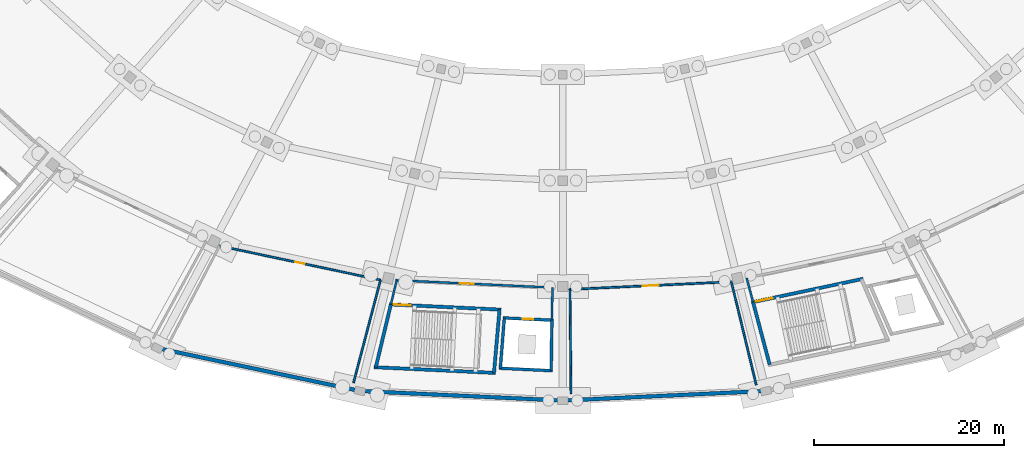
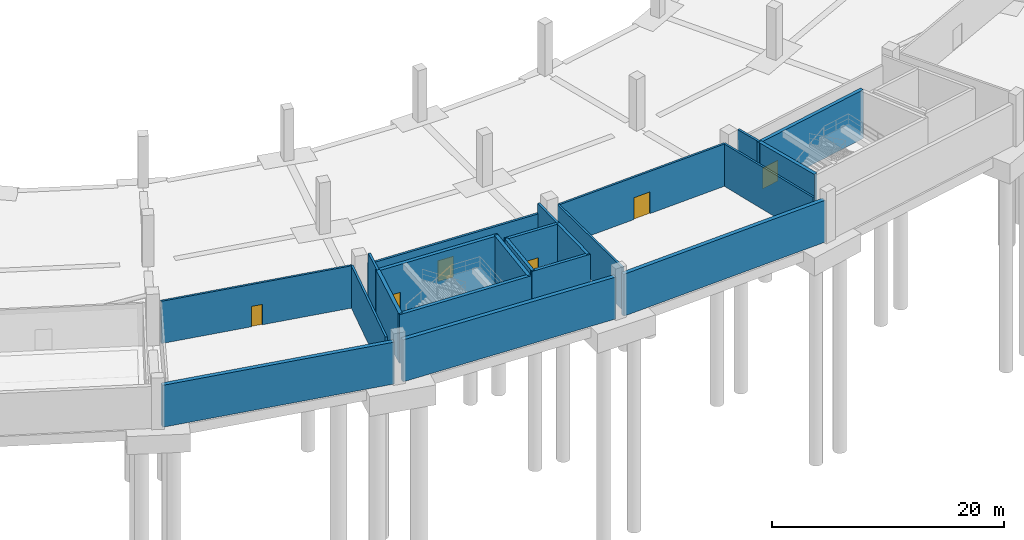
# One storey, part 11 of 49: 22 walls, 6 doors, 6 openings.
"""IFC4 building model written with IfcOpenShell, lengths in metres."""

from ifc_helpers import new_model, si_unit, direction, frame, frame_2d, origin, place, context, subcontext, project, spatial, rectangle, extrude, material, layer, layer_set, type_object, element, fill, save


model = new_model("IFC4")

# Units and contexts
model_context = context("Model", 3, precision=1e-05, world=origin(), true_north=direction((0.0, 1.0)))
body_context = subcontext(model_context, "Body", "Model", "MODEL_VIEW")
ifc_project = project(units=[si_unit("LENGTHUNIT", "METRE"), si_unit("AREAUNIT", "SQUARE_METRE"), si_unit("VOLUMEUNIT", "CUBIC_METRE"), si_unit("PLANEANGLEUNIT", "RADIAN"), si_unit("MASSUNIT", "GRAM", prefix="KILO")], contexts=[model_context])

# Site, building, storey
site_placement = place(None, origin())
site = spatial("IfcSite", under=ifc_project, at=site_placement, CompositionType="ELEMENT")
building_placement = place(site_placement, origin())
building = spatial("IfcBuilding", under=site, at=building_placement, Name="Kazemori Nagisa Stadium", CompositionType="ELEMENT")
storey_placement = place(building_placement, frame((0.0, 0.0, -5.43994140625)))
storey = spatial("IfcBuildingStorey", under=building, at=storey_placement, Name="B1", CompositionType="ELEMENT", Elevation=-5.43994140625)

# Walls
ifc_material_1 = material(Name="Concrete C40/50 (Fc42)", Category="concrete")
ifc_layer_1 = layer(ifc_material_1, 0.39990234375, Name="Concrete C40/50 (Fc42)", Category="concrete")
ifc_layer_set_1 = layer_set([ifc_layer_1], Name="Concrete C40/50 (Fc42)")
wall_type_1 = type_object("IfcWallType", Name="Wall_W-B1-RET-400", PredefinedType="SOLIDWALL", material=ifc_layer_set_1)
wall_1_placement = place(storey_placement, frame((80.576904296875, 21.455078125, 0.0), z_axis=(0.0, 0.0, 1.0), x_axis=(0.978345100851, -0.206980346028, 0.0)))
element("IfcWall", 1, at=wall_1_placement, inside=storey, type_object=wall_type_1, Name="Basement perimeter retaining wall B1-20", PredefinedType="SOLIDWALL", context=body_context, shape_type="SweptSolid", body=[
    extrude(rectangle(XDim=21.070068359375, YDim=0.39990234375, at=frame_2d((10.53515625, 0.0))), origin(), (0.0, 0.0, 1.0), 4.419921875),
])
for number, where, z_axis, x_axis, name in (
    (2, (101.9619140625, 16.99462890625, 0.0), (0.0, 0.0, 1.0), (0.998884033728, -0.047230150999, 0.0), "Basement perimeter retaining wall B1-21"),
    (3, (123.3896484375, 16.018310546875, 0.0), (0.0, 0.0, 1.0), (0.998884033728, 0.047230150999, 0.0), "Basement perimeter retaining wall B1-22"),
):
    element("IfcWall", number, at=place(storey_placement, frame(where, z_axis=z_axis, x_axis=x_axis)), inside=storey, type_object=wall_type_1, Name=name, PredefinedType="SOLIDWALL", context=body_context, shape_type="SweptSolid", body=[
        extrude(rectangle(XDim=20.67138671875, YDim=0.39990234375, at=frame_2d((10.335693359375, 0.0))), origin(), (0.0, 0.0, 1.0), 4.419921875),
    ])

# Wall, opening, door
ifc_layer_2 = layer(ifc_material_1, 0.35009765625, Name="Concrete C40/50 (Fc42)", Category="concrete")
ifc_layer_set_2 = layer_set([ifc_layer_2], Name="Concrete C40/50 (Fc42)")
wall_type_2 = type_object("IfcWallType", Name="Wall_W-CORE-350", PredefinedType="SHEAR", material=ifc_layer_set_2)
wall_2_placement = place(storey_placement, frame((104.66748046875, 26.15478515625, 0.0), z_axis=(0.0, 0.0, 1.0), x_axis=(0.998883770468, -0.04723571843, 0.0)))
wall_2 = element("IfcWall", 4, at=wall_2_placement, inside=storey, type_object=wall_type_2, Name="Core stair front shear wall ST12 B1", PredefinedType="SHEAR", context=body_context, shape_type="SweptSolid", body=[
    extrude(rectangle(XDim=11.830810546875, YDim=0.35009765625, at=frame_2d((5.91552734375, 0.0))), origin(), (0.0, 0.0, 1.0), 5.139892578125),
])
opening_1_placement = place(wall_2_placement, frame((0.47509765625, 0.0, 0.0)))
opening_1 = element("IfcOpeningElement", 5, at=opening_1_placement, cuts=wall_2, Name="Opening D-ST-1800", PredefinedType="OPENING", context=body_context, shape_type="SweptSolid", body=[
    extrude(rectangle(XDim=1.800048828125, YDim=2.199951171875, at=frame_2d((0.89990234375, 1.10009765625))), frame((0.0, 0.18505859375, 0.0), z_axis=(0.0, -1.0, 0.0), x_axis=(1.0, 0.0, 0.0)), (0.0, 0.0, 1.0), 0.3701171875),
])
ifc_material_2 = material(Name="Galvanised steel sheet", Category="steel")
door_type_1 = type_object("IfcDoorType", Name="Door_D-ST-1800", OperationType="NOTDEFINED", PredefinedType="DOOR", material=ifc_material_2)
door_1_placement = place(opening_1_placement, frame((1.800048828125, 0.0, 0.0), z_axis=(0.0, 0.0, 1.0), x_axis=(-1.0, 0.0, 0.0)))
door_1 = element("IfcDoor", 6, at=door_1_placement, inside=storey, type_object=door_type_1, Name="Exit stair fire door ST12-B1", OperationType="SINGLE_SWING_RIGHT", OverallHeight=2.199951171875, OverallWidth=1.800048828125, PredefinedType="DOOR", context=body_context, shape_type="SweptSolid", body=[
    extrude(rectangle(XDim=1.800048828125, YDim=2.199951171875, at=frame_2d((0.89990234375, 1.10009765625))), frame((0.0, 0.02490234375, 0.0), z_axis=(0.0, -1.0, 0.0), x_axis=(1.0, 0.0, 0.0)), (0.0, 0.0, 1.0), 0.050048828125),
])
fill(opening_1, door_1)

# Walls
wall_3_placement = place(storey_placement, frame((103.07958984375, 19.52197265625, 0.0), z_axis=(0.0, 0.0, 1.0), x_axis=(0.998884004857, -0.047230761603, 0.0)))
element("IfcWall", 7, at=wall_3_placement, inside=storey, type_object=wall_type_2, Name="Core stair rear shear wall ST12 B1", PredefinedType="SHEAR", context=body_context, shape_type="SweptSolid", body=[
    extrude(rectangle(XDim=12.8349609375, YDim=0.35009765625, at=frame_2d((6.41748046875, 0.0))), origin(), (0.0, 0.0, 1.0), 5.139892578125),
])
wall_4_placement = place(storey_placement, frame((104.84228515625, 26.146484375, 0.0), z_axis=(0.0, 0.0, 1.0), x_axis=(-0.232820532896, -0.972519716747, 0.0)))
element("IfcWall", 8, at=wall_4_placement, inside=storey, type_object=wall_type_2, Name="Core stair left shear wall ST12 B1", PredefinedType="SHEAR", context=body_context, shape_type="SweptSolid", body=[
    extrude(rectangle(XDim=6.8203125, YDim=0.35009765625, at=frame_2d((3.41015625, 0.0))), origin(), (0.0, 0.0, 1.0), 5.139892578125),
])
wall_5_placement = place(storey_placement, frame((116.310302734375, 25.604248046875, 0.0), z_axis=(0.0, 0.0, 1.0), x_axis=(-0.087232889326, -0.996187945631, 0.0)))
element("IfcWall", 9, at=wall_5_placement, inside=storey, type_object=wall_type_2, Name="Core stair right shear wall ST12 B1", PredefinedType="SHEAR", context=body_context, shape_type="SweptSolid", body=[
    extrude(rectangle(XDim=6.705810546875, YDim=0.35009765625, at=frame_2d((3.35302734375, 0.0))), origin(), (0.0, 0.0, 1.0), 5.139892578125),
])

# Wall, opening, door
wall_6_placement = place(storey_placement, frame((142.895751953125, 26.357177734375, 0.0), z_axis=(0.0, 0.0, 1.0), x_axis=(0.978345203961, 0.206979858648, 0.0)))
wall_6 = element("IfcWall", 10, at=wall_6_placement, inside=storey, type_object=wall_type_2, Name="Core stair front shear wall ST06 B1", PredefinedType="SHEAR", context=body_context, shape_type="SweptSolid", body=[
    extrude(rectangle(XDim=12.044189453125, YDim=0.35009765625, at=frame_2d((6.02197265625, 0.0))), origin(), (0.0, 0.0, 1.0), 5.139892578125),
])
opening_2_placement = place(wall_6_placement, frame((0.47509765625, 0.0, 0.0)))
opening_2 = element("IfcOpeningElement", 11, at=opening_2_placement, cuts=wall_6, Name="Opening D-ST-1800", PredefinedType="OPENING", context=body_context, shape_type="SweptSolid", body=[
    extrude(rectangle(XDim=1.800048828125, YDim=2.199951171875, at=frame_2d((0.89990234375, 1.10009765625))), frame((0.0, 0.18505859375, 0.0), z_axis=(0.0, -1.0, 0.0), x_axis=(1.0, 0.0, 0.0)), (0.0, 0.0, 1.0), 0.3701171875),
])
door_2_placement = place(opening_2_placement, frame((1.800048828125, 0.0, 0.0), z_axis=(0.0, 0.0, 1.0), x_axis=(-1.0, 0.0, 0.0)))
door_2 = element("IfcDoor", 12, at=door_2_placement, inside=storey, type_object=door_type_1, Name="Exit stair fire door ST06-B1", OperationType="SINGLE_SWING_RIGHT", OverallHeight=2.199951171875, OverallWidth=1.800048828125, PredefinedType="DOOR", context=body_context, shape_type="SweptSolid", body=[
    extrude(rectangle(XDim=1.800048828125, YDim=2.199951171875, at=frame_2d((0.89990234375, 1.10009765625))), frame((0.0, 0.02490234375, 0.0), z_axis=(0.0, -1.0, 0.0), x_axis=(1.0, 0.0, 0.0)), (0.0, 0.0, 1.0), 0.050048828125),
])
fill(opening_2, door_2)

# Wall
wall_7_placement = place(storey_placement, frame((143.06689453125, 26.3935546875, 0.0), z_axis=(0.0, 0.0, 1.0), x_axis=(0.256518400663, -0.966539347425, 0.0)))
element("IfcWall", 13, at=wall_7_placement, inside=storey, type_object=wall_type_2, Name="Core stair left shear wall ST06 B1", PredefinedType="SHEAR", context=body_context, shape_type="SweptSolid", body=[
    extrude(rectangle(XDim=6.840087890625, YDim=0.35009765625, at=frame_2d((3.419921875, 0.0))), origin(), (0.0, 0.0, 1.0), 5.139892578125),
])

# Wall, opening, door
ifc_material_3 = material(Name="Concrete C36/45 (Fc36)", Category="concrete")
ifc_layer_3 = layer(ifc_material_3, 0.219970703125, Name="Concrete C36/45 (Fc36)", Category="concrete")
ifc_layer_set_3 = layer_set([ifc_layer_3], Name="Concrete C36/45 (Fc36)")
wall_type_3 = type_object("IfcWallType", Name="Wall_W-LOBBY-220", PredefinedType="SOLIDWALL", material=ifc_layer_set_3)
wall_8_placement = place(storey_placement, frame((105.343017578125, 28.702880859375, 0.0), z_axis=(0.0, 0.0, 1.0), x_axis=(0.998884242682, -0.047225731555, 0.0)))
wall_8 = element("IfcWall", 14, at=wall_8_placement, inside=storey, type_object=wall_type_3, Name="Core lobby fire wall ST12 B1", PredefinedType="SOLIDWALL", context=body_context, shape_type="SweptSolid", body=[
    extrude(rectangle(XDim=16.67724609375, YDim=0.219970703125, at=frame_2d((8.338623046875, 0.0))), origin(), (0.0, 0.0, 1.0), 4.087890625),
])
opening_3_placement = place(wall_8_placement, frame((6.76611328125, 0.0, 0.0)))
opening_3 = element("IfcOpeningElement", 15, at=opening_3_placement, cuts=wall_8, Name="Opening D-FFL-1500", PredefinedType="OPENING", context=body_context, shape_type="SweptSolid", body=[
    extrude(rectangle(XDim=1.5, YDim=2.199951171875, at=frame_2d((0.75, 1.10009765625))), frame((0.0, 0.119873046875, 0.0), z_axis=(0.0, -1.0, 0.0), x_axis=(1.0, 0.0, 0.0)), (0.0, 0.0, 1.0), 0.239990234375),
])
door_type_2 = type_object("IfcDoorType", Name="Door_D-FFL-1500", OperationType="NOTDEFINED", PredefinedType="DOOR", material=ifc_material_2)
door_3_placement = place(opening_3_placement, frame((1.5, 0.0, 0.0), z_axis=(0.0, 0.0, 1.0), x_axis=(-1.0, 0.0, 0.0)))
door_3 = element("IfcDoor", 16, at=door_3_placement, inside=storey, type_object=door_type_2, Name="Protected lobby fire door ST12-B1", OperationType="DOUBLE_DOOR_SINGLE_SWING", OverallHeight=2.199951171875, OverallWidth=1.5, PredefinedType="DOOR", context=body_context, shape_type="SweptSolid", body=[
    extrude(rectangle(XDim=1.5, YDim=2.199951171875, at=frame_2d((0.75, 1.10009765625))), frame((0.0, 0.02490234375, 0.0), z_axis=(0.0, -1.0, 0.0), x_axis=(1.0, 0.0, 0.0)), (0.0, 0.0, 1.0), 0.050048828125),
])
fill(opening_3, door_3)

# Walls
wall_9_placement = place(storey_placement, frame((105.452880859375, 28.69775390625, 0.0), z_axis=(0.0, 0.0, 1.0), x_axis=(-0.232756927197, -0.972534941707, 0.0)))
element("IfcWall", 17, at=wall_9_placement, inside=storey, type_object=wall_type_3, Name="Core lobby left wall ST12 B1", PredefinedType="SOLIDWALL", context=body_context, shape_type="SweptSolid", body=[
    extrude(rectangle(XDim=2.623291015625, YDim=0.219970703125, at=frame_2d((1.3115234375, 0.0))), origin(), (0.0, 0.0, 1.0), 5.139892578125),
])
wall_10_placement = place(storey_placement, frame((121.891845703125, 27.92041015625, 0.0), z_axis=(0.0, 0.0, 1.0), x_axis=(-0.014984113027, -0.999887731876, 0.0)))
element("IfcWall", 18, at=wall_10_placement, inside=storey, type_object=wall_type_3, Name="Core lobby right wall ST12 B1", PredefinedType="SOLIDWALL", context=body_context, shape_type="SweptSolid", body=[
    extrude(rectangle(XDim=3.43798828125, YDim=0.219970703125, at=frame_2d((1.718994140625, 0.0))), origin(), (0.0, 0.0, 1.0), 5.139892578125),
])
wall_11_placement = place(storey_placement, frame((142.39208984375, 28.936279296875, 0.0), z_axis=(0.0, 0.0, 1.0), x_axis=(0.256507243456, -0.966542308466, 0.0)))
element("IfcWall", 19, at=wall_11_placement, inside=storey, type_object=wall_type_3, Name="Core lobby left wall ST06 B1", PredefinedType="SOLIDWALL", context=body_context, shape_type="SweptSolid", body=[
    extrude(rectangle(XDim=2.630859375, YDim=0.219970703125, at=frame_2d((1.3154296875, 0.0))), origin(), (0.0, 0.0, 1.0), 5.139892578125),
])

# Wall, opening, door
ifc_material_4 = material(Name="Autoclaved aerated concrete blockwork", Category="masonry")
ifc_layer_4 = layer(ifc_material_4, 0.199951171875, Name="Autoclaved aerated concrete blockwork", Category="masonry")
ifc_layer_set_4 = layer_set([ifc_layer_4], Name="Autoclaved aerated concrete blockwork")
wall_type_4 = type_object("IfcWallType", Name="Wall_W-PART-200", PredefinedType="PARTITIONING", material=ifc_layer_set_4)
wall_12_placement = place(storey_placement, frame((86.755615234375, 32.322509765625, 0.0), z_axis=(0.0, 0.0, 1.0), x_axis=(0.978347075804, -0.206971010692, 0.0)))
wall_12 = element("IfcWall", 20, at=wall_12_placement, inside=storey, type_object=wall_type_4, Name="Room corridor partition B1-B20", PredefinedType="PARTITIONING", context=body_context, shape_type="SweptSolid", body=[
    extrude(rectangle(XDim=17.3681640625, YDim=0.199951171875, at=frame_2d((8.68408203125, 0.0))), origin(), (0.0, 0.0, 1.0), 4.4599609375),
])
opening_4_placement = place(wall_12_placement, frame((8.194091796875, 0.0, 0.0)))
opening_4 = element("IfcOpeningElement", 21, at=opening_4_placement, cuts=wall_12, Name="Opening D-DOP-980", PredefinedType="OPENING", context=body_context, shape_type="SweptSolid", body=[
    extrude(rectangle(XDim=0.97998046875, YDim=2.14990234375, at=frame_2d((0.489990234375, 1.074951171875))), frame((0.0, 0.10986328125, 0.0), z_axis=(0.0, -1.0, 0.0), x_axis=(1.0, 0.0, 0.0)), (0.0, 0.0, 1.0), 0.219970703125),
])
door_type_3 = type_object("IfcDoorType", Name="Door_D-DOP-980", OperationType="NOTDEFINED", PredefinedType="DOOR", material=ifc_material_2)
door_4_placement = place(opening_4_placement, origin())
door_4 = element("IfcDoor", 22, at=door_4_placement, inside=storey, type_object=door_type_3, Name="Room entrance door D-DOP-980 B1-B20", OperationType="SINGLE_SWING_RIGHT", OverallHeight=2.14990234375, OverallWidth=0.97998046875, PredefinedType="DOOR", context=body_context, shape_type="SweptSolid", body=[
    extrude(rectangle(XDim=0.97998046875, YDim=2.14990234375, at=frame_2d((0.489990234375, 1.074951171875))), frame((0.0, 0.02490234375, 0.0), z_axis=(0.0, -1.0, 0.0), x_axis=(1.0, 0.0, 0.0)), (0.0, 0.0, 1.0), 0.050048828125),
])
fill(opening_4, door_4)

# Wall
wall_13_placement = place(storey_placement, frame((103.747802734375, 28.727783203125, 0.0), z_axis=(0.0, 0.0, 1.0), x_axis=(-0.254131382846, -0.967169706025, 0.0)))
element("IfcWall", 23, at=wall_13_placement, inside=storey, type_object=wall_type_4, Name="Room radial partition B1-B20-R", PredefinedType="PARTITIONING", context=body_context, shape_type="SweptSolid", body=[
    extrude(rectangle(XDim=11.2236328125, YDim=0.199951171875, at=frame_2d((5.61181640625, 0.0))), origin(), (0.0, 0.0, 1.0), 4.4599609375),
])

# Wall, opening, door
wall_14_placement = place(storey_placement, frame((123.740478515625, 27.73095703125, 0.0), z_axis=(0.0, 0.0, 1.0), x_axis=(0.998883826153, 0.047234540851, 0.0)))
wall_14 = element("IfcWall", 24, at=wall_14_placement, inside=storey, type_object=wall_type_4, Name="Room corridor partition B1-B22", PredefinedType="PARTITIONING", context=body_context, shape_type="SweptSolid", body=[
    extrude(rectangle(XDim=17.051513671875, YDim=0.199951171875, at=frame_2d((8.52587890625, 0.0))), origin(), (0.0, 0.0, 1.0), 4.4599609375),
])
opening_5_placement = place(wall_14_placement, frame((7.68603515625, 0.0, 0.0)))
opening_5 = element("IfcOpeningElement", 25, at=opening_5_placement, cuts=wall_14, Name="Opening D-WRM-1680", PredefinedType="OPENING", context=body_context, shape_type="SweptSolid", body=[
    extrude(rectangle(XDim=1.679931640625, YDim=2.300048828125, at=frame_2d((0.83984375, 1.14990234375))), frame((0.0, 0.10986328125, 0.0), z_axis=(0.0, -1.0, 0.0), x_axis=(1.0, 0.0, 0.0)), (0.0, 0.0, 1.0), 0.219970703125),
])
door_type_4 = type_object("IfcDoorType", Name="Door_D-WRM-1680", OperationType="NOTDEFINED", PredefinedType="DOOR", material=ifc_material_2)
door_5_placement = place(opening_5_placement, origin())
door_5 = element("IfcDoor", 26, at=door_5_placement, inside=storey, type_object=door_type_4, Name="Room entrance door D-WRM-1680 B1-B22", OperationType="DOUBLE_DOOR_SINGLE_SWING", OverallHeight=2.300048828125, OverallWidth=1.679931640625, PredefinedType="DOOR", context=body_context, shape_type="SweptSolid", body=[
    extrude(rectangle(XDim=1.679931640625, YDim=2.300048828125, at=frame_2d((0.83984375, 1.14990234375))), frame((0.0, 0.02490234375, 0.0), z_axis=(0.0, -1.0, 0.0), x_axis=(1.0, 0.0, 0.0)), (0.0, 0.0, 1.0), 0.050048828125),
])
fill(opening_5, door_5)

# Walls
wall_15_placement = place(storey_placement, frame((123.740478515625, 27.73095703125, 0.0), z_axis=(0.0, 0.0, 1.0), x_axis=(0.00998463551, -0.999950152284, 0.0)))
element("IfcWall", 27, at=wall_15_placement, inside=storey, type_object=wall_type_4, Name="Room radial partition B1-B22-L", PredefinedType="PARTITIONING", context=body_context, shape_type="SweptSolid", body=[
    extrude(rectangle(XDim=11.003173828125, YDim=0.199951171875, at=frame_2d((5.50146484375, 0.0))), origin(), (0.0, 0.0, 1.0), 4.4599609375),
])
wall_16_placement = place(storey_placement, frame((140.77294921875, 28.536376953125, 0.0), z_axis=(0.0, 0.0, 1.0), x_axis=(0.235146333041, -0.971959979658, 0.0)))
element("IfcWall", 28, at=wall_16_placement, inside=storey, type_object=wall_type_4, Name="Room radial partition B1-B22-R", PredefinedType="PARTITIONING", context=body_context, shape_type="SweptSolid", body=[
    extrude(rectangle(XDim=11.197509765625, YDim=0.199951171875, at=frame_2d((5.5986328125, 0.0))), origin(), (0.0, 0.0, 1.0), 4.4599609375),
])

# Wall, opening, door
ifc_layer_5 = layer(ifc_material_1, 0.300048828125, Name="Concrete C40/50 (Fc42)", Category="concrete")
ifc_layer_set_5 = layer_set([ifc_layer_5], Name="Concrete C40/50 (Fc42)")
wall_type_5 = type_object("IfcWallType", Name="Wall_W-SHAFT-300", PredefinedType="SHEAR", material=ifc_layer_set_5)
wall_17_placement = place(storey_placement, frame((116.665283203125, 24.7275390625, 0.0), z_axis=(0.0, 0.0, 1.0), x_axis=(0.998882494219, -0.047262699282, 0.0)))
wall_17 = element("IfcWall", 29, at=wall_17_placement, inside=storey, type_object=wall_type_5, Name="Lift shaft front wall LP4 B1", PredefinedType="SHEAR", context=body_context, shape_type="SweptSolid", body=[
    extrude(rectangle(XDim=5.330810546875, YDim=0.300048828125, at=frame_2d((2.66552734375, 0.0))), origin(), (0.0, 0.0, 1.0), 5.139892578125),
])
opening_6_placement = place(wall_17_placement, frame((2.114990234375, 0.0, 0.0)))
opening_6 = element("IfcOpeningElement", 30, at=opening_6_placement, cuts=wall_17, Name="Opening LD-PAX", PredefinedType="OPENING", context=body_context, shape_type="SweptSolid", body=[
    extrude(rectangle(XDim=1.10009765625, YDim=2.199951171875, at=frame_2d((0.550048828125, 1.10009765625))), frame((0.0, 0.159912109375, 0.0), z_axis=(0.0, -1.0, 0.0), x_axis=(1.0, 0.0, 0.0)), (0.0, 0.0, 1.0), 0.320068359375),
])
ifc_material_5 = material(Name="Stainless steel SUS304", Category="steel")
door_type_5 = type_object("IfcDoorType", Name="Door_LD-PAX", OperationType="SLIDING_TO_RIGHT", PredefinedType="DOOR", material=ifc_material_5)
door_6_placement = place(opening_6_placement, origin())
door_6 = element("IfcDoor", 31, at=door_6_placement, inside=storey, type_object=door_type_5, Name="Lift landing door LP4-B1", OperationType="SLIDING_TO_RIGHT", OverallHeight=2.199951171875, OverallWidth=1.10009765625, PredefinedType="DOOR", context=body_context, shape_type="SweptSolid", body=[
    extrude(rectangle(XDim=1.10009765625, YDim=2.199951171875, at=frame_2d((0.550048828125, 1.10009765625))), frame((0.0, 0.02490234375, 0.0), z_axis=(0.0, -1.0, 0.0), x_axis=(1.0, 0.0, 0.0)), (0.0, 0.0, 1.0), 0.050048828125),
])
fill(opening_6, door_6)

# Walls
wall_18_placement = place(storey_placement, frame((116.240234375, 19.41552734375, 0.0), z_axis=(0.0, 0.0, 1.0), x_axis=(0.998884329444, -0.047223896393, 0.0)))
element("IfcWall", 32, at=wall_18_placement, inside=storey, type_object=wall_type_5, Name="Lift shaft B wall LP4 B1", PredefinedType="SHEAR", context=body_context, shape_type="SweptSolid", body=[
    extrude(rectangle(XDim=5.676513671875, YDim=0.300048828125, at=frame_2d((2.83837890625, 0.0))), origin(), (0.0, 0.0, 1.0), 5.139892578125),
])
wall_19_placement = place(storey_placement, frame((116.815185546875, 24.720458984375, 0.0), z_axis=(0.0, 0.0, 1.0), x_axis=(-0.079807132276, -0.996810323802, 0.0)))
element("IfcWall", 33, at=wall_19_placement, inside=storey, type_object=wall_type_5, Name="Lift shaft L wall LP4 B1", PredefinedType="SHEAR", context=body_context, shape_type="SweptSolid", body=[
    extrude(rectangle(XDim=5.3291015625, YDim=0.300048828125, at=frame_2d((2.66455078125, 0.0))), origin(), (0.0, 0.0, 1.0), 5.139892578125),
])
wall_20_placement = place(storey_placement, frame((121.84033203125, 24.48291015625, 0.0), z_axis=(0.0, 0.0, 1.0), x_axis=(-0.014935332807, -0.999888461697, 0.0)))
element("IfcWall", 34, at=wall_20_placement, inside=storey, type_object=wall_type_5, Name="Lift shaft R wall LP4 B1", PredefinedType="SHEAR", context=body_context, shape_type="SweptSolid", body=[
    extrude(rectangle(XDim=5.328857421875, YDim=0.300048828125, at=frame_2d((2.66455078125, 0.0))), origin(), (0.0, 0.0, 1.0), 5.139892578125),
])

save(model, "model.ifc")
